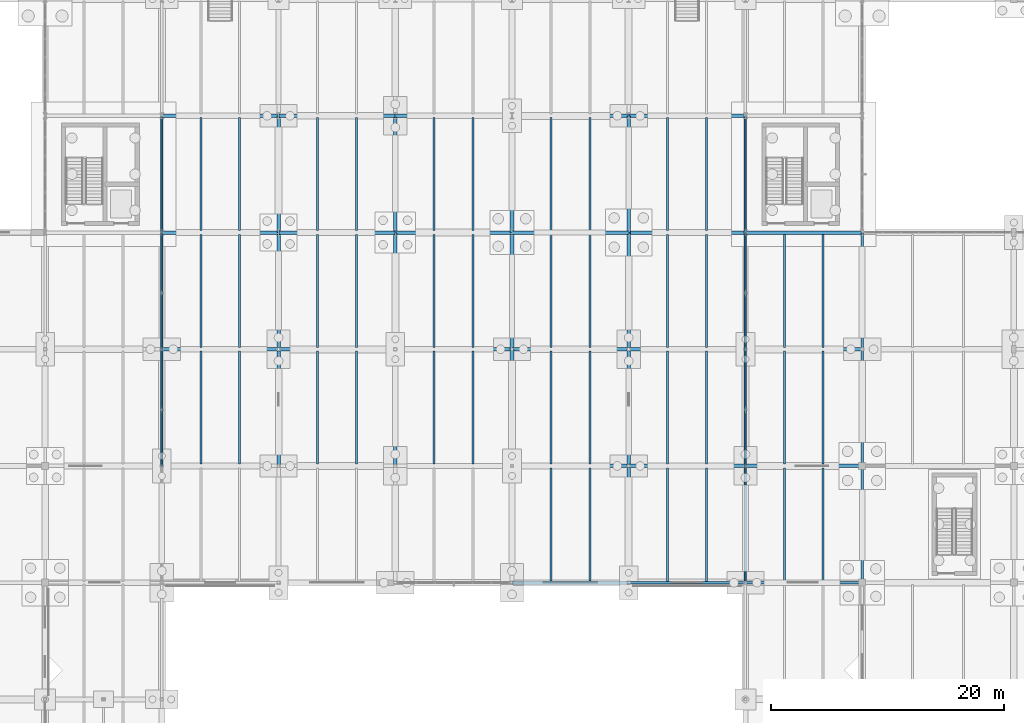
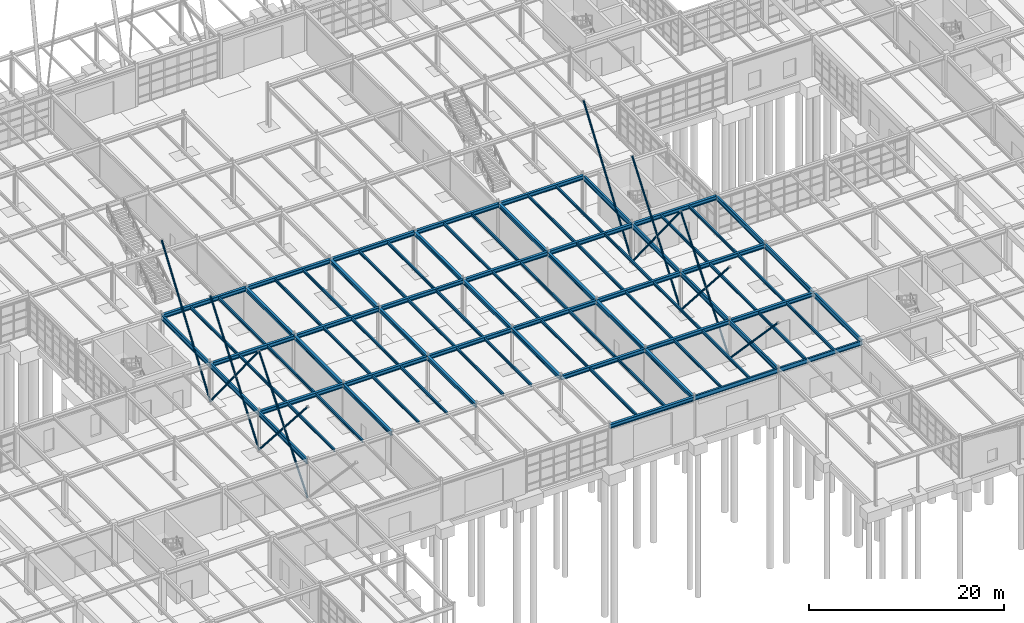
# One storey, part 45 of 145: 86 beams, 15 members.
"""IFC4 building model written with IfcOpenShell, lengths in metres."""

from ifc_helpers import new_model, si_unit, direction, frame, origin, origin_2d, place, context, subcontext, project, spatial, hollow_circle, i_section, extrude, material, material_profile, profile_set, type_object, element, save


model = new_model("IFC4")

# Units and contexts
model_context = context("Model", 3, precision=1e-05, world=origin(), true_north=direction((0.0, 1.0)))
body_context = subcontext(model_context, "Body", "Model", "MODEL_VIEW")
ifc_project = project(units=[si_unit("LENGTHUNIT", "METRE"), si_unit("AREAUNIT", "SQUARE_METRE"), si_unit("VOLUMEUNIT", "CUBIC_METRE"), si_unit("PLANEANGLEUNIT", "RADIAN"), si_unit("MASSUNIT", "GRAM", prefix="KILO"), si_unit("THERMODYNAMICTEMPERATUREUNIT", "KELVIN"), si_unit("POWERUNIT", "WATT")], contexts=[model_context])

# Site, building, storey
site_placement = place(None, origin())
site = spatial("IfcSite", under=ifc_project, at=site_placement, CompositionType="ELEMENT")
building_placement = place(site_placement, origin())
building = spatial("IfcBuilding", under=site, at=building_placement, Name="Korenveer Ferry Terminal", CompositionType="ELEMENT")
storey_placement = place(building_placement, origin())
storey = spatial("IfcBuildingStorey", under=building, at=storey_placement, Name="L00", CompositionType="ELEMENT", Elevation=0.0)

# Beams
ifc_material = material(Name="Steel S355", Category="steel")
ifc_material_profile_1 = material_profile(ifc_material, i_section(OverallWidth=0.300048828125, OverallDepth=0.5, WebThickness=0.014404296875, FlangeThickness=0.028076171875, FilletRadius=0.027099609375, at=origin_2d()), Name="HEB 500")
ifc_profile_set_1 = profile_set([ifc_material_profile_1], Name="Steel S355")
beam_type_1 = type_object("IfcBeamType", Name="STR-BM-HEB500", PredefinedType="BEAM", material=ifc_profile_set_1)
for number, where, z_axis, x_axis, name in (
    (1, (93.02001953125, 20.0, 4.830078125), (1.0, 0.0, 0.0), (0.0, 1.0, 0.0), "Primary X girder BMX-L01-X93-103-Y20"),
    (2, (93.02001953125, 30.0, 4.830078125), (1.0, 0.0, 0.0), (0.0, 1.0, 0.0), "Primary X girder BMX-L01-X93-103-Y30"),
    (3, (103.02001953125, 30.0, 4.8701171875), (1.0, 0.0, 0.0), (0.0, 1.0, 0.0), "Primary X girder BMX-L01-X103-113-Y30"),
    (4, (113.02001953125, 30.0, 4.8701171875), (1.0, 0.0, 0.0), (0.0, 1.0, 0.0), "Primary X girder BMX-L01-X113-123-Y30"),
    (5, (63.02001953125, 40.0, 4.8701171875), (1.0, 0.0, 0.0), (0.0, 1.0, 0.0), "Primary X girder BMX-L01-X63-73-Y40"),
    (6, (73.02001953125, 40.0, 4.830078125), (1.0, 0.0, 0.0), (0.0, 1.0, 0.0), "Primary X girder BMX-L01-X73-83-Y40"),
    (7, (83.02001953125, 40.0, 4.830078125), (1.0, 0.0, 0.0), (0.0, 1.0, 0.0), "Primary X girder BMX-L01-X83-93-Y40"),
    (8, (93.02001953125, 40.0, 4.830078125), (1.0, 0.0, 0.0), (0.0, 1.0, 0.0), "Primary X girder BMX-L01-X93-103-Y40"),
    (9, (103.02001953125, 40.0, 4.8701171875), (1.0, 0.0, 0.0), (0.0, 1.0, 0.0), "Primary X girder BMX-L01-X103-113-Y40"),
    (10, (113.02001953125, 40.0, 4.8701171875), (1.0, 0.0, 0.0), (0.0, 1.0, 0.0), "Primary X girder BMX-L01-X113-123-Y40"),
    (11, (63.02001953125, 50.0, 4.830078125), (1.0, 0.0, 0.0), (0.0, 1.0, 0.0), "Primary X girder BMX-L01-X63-73-Y50"),
    (12, (73.02001953125, 50.0, 4.830078125), (1.0, 0.0, 0.0), (0.0, 1.0, 0.0), "Primary X girder BMX-L01-X73-83-Y50"),
    (13, (83.02001953125, 50.0, 4.830078125), (1.0, 0.0, 0.0), (0.0, 1.0, 0.0), "Primary X girder BMX-L01-X83-93-Y50"),
    (14, (93.02001953125, 50.0, 4.830078125), (1.0, 0.0, 0.0), (0.0, 1.0, 0.0), "Primary X girder BMX-L01-X93-103-Y50"),
    (15, (103.02001953125, 50.0, 4.830078125), (1.0, 0.0, 0.0), (0.0, 1.0, 0.0), "Primary X girder BMX-L01-X103-113-Y50"),
    (16, (113.02001953125, 50.0, 4.830078125), (1.0, 0.0, 0.0), (0.0, 1.0, 0.0), "Primary X girder BMX-L01-X113-123-Y50"),
    (17, (63.02001953125, 60.0, 4.830078125), (1.0, 0.0, 0.0), (0.0, 1.0, 0.0), "Primary X girder BMX-L01-X63-73-Y60"),
    (18, (73.02001953125, 60.0, 4.830078125), (1.0, 0.0, 0.0), (0.0, 1.0, 0.0), "Primary X girder BMX-L01-X73-83-Y60"),
    (19, (83.02001953125, 60.0, 4.830078125), (1.0, 0.0, 0.0), (0.0, 1.0, 0.0), "Primary X girder BMX-L01-X83-93-Y60"),
    (20, (93.02001953125, 60.0, 4.830078125), (1.0, 0.0, 0.0), (0.0, 1.0, 0.0), "Primary X girder BMX-L01-X93-103-Y60"),
    (21, (103.02001953125, 60.0, 4.830078125), (1.0, 0.0, 0.0), (0.0, 1.0, 0.0), "Primary X girder BMX-L01-X103-113-Y60"),
    (22, (73.0, 30.02001953125, 4.830078125), (0.0, 1.0, 0.0), (-1.0, 0.0, 0.0), "Primary Y girder BMY-L01-X73-Y30-40"),
    (23, (73.0, 40.02001953125, 4.830078125), (0.0, 1.0, 0.0), (-1.0, 0.0, 0.0), "Primary Y girder BMY-L01-X73-Y40-50"),
    (24, (73.0, 50.02001953125, 4.830078125), (0.0, 1.0, 0.0), (-1.0, 0.0, 0.0), "Primary Y girder BMY-L01-X73-Y50-60"),
    (25, (83.0, 30.02001953125, 4.830078125), (0.0, 1.0, 0.0), (-1.0, 0.0, 0.0), "Primary Y girder BMY-L01-X83-Y30-40"),
    (26, (83.0, 40.02001953125, 4.830078125), (0.0, 1.0, 0.0), (-1.0, 0.0, 0.0), "Primary Y girder BMY-L01-X83-Y40-50"),
    (27, (83.0, 50.02001953125, 4.830078125), (0.0, 1.0, 0.0), (-1.0, 0.0, 0.0), "Primary Y girder BMY-L01-X83-Y50-60"),
    (28, (93.0, 30.02001953125, 4.830078125), (0.0, 1.0, 0.0), (-1.0, 0.0, 0.0), "Primary Y girder BMY-L01-X93-Y30-40"),
    (29, (93.0, 40.02001953125, 4.830078125), (0.0, 1.0, 0.0), (-1.0, 0.0, 0.0), "Primary Y girder BMY-L01-X93-Y40-50"),
    (30, (93.0, 50.02001953125, 4.830078125), (0.0, 1.0, 0.0), (-1.0, 0.0, 0.0), "Primary Y girder BMY-L01-X93-Y50-60"),
    (31, (103.0, 20.02001953125, 4.830078125), (0.0, 1.0, 0.0), (-1.0, 0.0, 0.0), "Primary Y girder BMY-L01-X103-Y20-30"),
    (32, (103.0, 30.02001953125, 4.830078125), (0.0, 1.0, 0.0), (-1.0, 0.0, 0.0), "Primary Y girder BMY-L01-X103-Y30-40"),
    (33, (103.0, 40.02001953125, 4.830078125), (0.0, 1.0, 0.0), (-1.0, 0.0, 0.0), "Primary Y girder BMY-L01-X103-Y40-50"),
    (34, (103.0, 50.02001953125, 4.830078125), (0.0, 1.0, 0.0), (-1.0, 0.0, 0.0), "Primary Y girder BMY-L01-X103-Y50-60"),
):
    element("IfcBeam", number, at=place(storey_placement, frame(where, z_axis=z_axis, x_axis=x_axis)), inside=storey, type_object=beam_type_1, Name=name, PredefinedType="BEAM", context=body_context, shape_type="SweptSolid", body=[
        extrude(i_section(OverallWidth=0.300048828125, OverallDepth=0.5, WebThickness=0.014404296875, FlangeThickness=0.028076171875, FilletRadius=0.027099609375, at=origin_2d()), origin(), (0.0, 0.0, 1.0), 9.9599609375),
    ])
ifc_material_profile_2 = material_profile(ifc_material, i_section(OverallWidth=0.2099609375, OverallDepth=0.550048828125, WebThickness=0.010986328125, FlangeThickness=0.01708984375, FilletRadius=0.02392578125, at=origin_2d()), Name="IPE 550")
ifc_profile_set_2 = profile_set([ifc_material_profile_2], Name="Steel S355")
beam_type_2 = type_object("IfcBeamType", Name="STR-BM-IPE550", PredefinedType="BEAM", material=ifc_profile_set_2)
for number, where, z_axis, x_axis, name in (
    (35, (103.02001953125, 20.0, 4.844970703125), (1.0, 0.0, 0.0), (0.0, 1.0, 0.0), "Primary X girder BMX-L01-X103-113-Y20"),
    (36, (113.02001953125, 20.0, 4.844970703125), (1.0, 0.0, 0.0), (0.0, 1.0, 0.0), "Primary X girder BMX-L01-X113-123-Y20"),
):
    element("IfcBeam", number, at=place(storey_placement, frame(where, z_axis=z_axis, x_axis=x_axis)), inside=storey, type_object=beam_type_2, Name=name, PredefinedType="BEAM", context=body_context, shape_type="SweptSolid", body=[
        extrude(i_section(OverallWidth=0.2099609375, OverallDepth=0.550048828125, WebThickness=0.010986328125, FlangeThickness=0.01708984375, FilletRadius=0.02392578125, at=origin_2d()), origin(), (0.0, 0.0, 1.0), 9.9599609375),
    ])
ifc_material_profile_3 = material_profile(ifc_material, i_section(OverallWidth=0.219970703125, OverallDepth=0.60009765625, WebThickness=0.011962890625, FlangeThickness=0.01904296875, FilletRadius=0.02392578125, at=origin_2d()), Name="IPE 600")
ifc_profile_set_3 = profile_set([ifc_material_profile_3], Name="Steel S355")
beam_type_3 = type_object("IfcBeamType", Name="STR-BM-IPE600", PredefinedType="BEAM", material=ifc_profile_set_3)
for number, where, z_axis, x_axis, name in (
    (37, (63.0, 30.02001953125, 4.820068359375), (0.0, 1.0, 0.0), (-1.0, 0.0, 0.0), "Primary Y girder BMY-L01-X63-Y30-40"),
    (38, (63.0, 40.02001953125, 4.820068359375), (0.0, 1.0, 0.0), (-1.0, 0.0, 0.0), "Primary Y girder BMY-L01-X63-Y40-50"),
    (39, (63.0, 50.02001953125, 4.780029296875), (0.0, 1.0, 0.0), (-1.0, 0.0, 0.0), "Primary Y girder BMY-L01-X63-Y50-60"),
    (40, (113.0, 20.02001953125, 4.820068359375), (0.0, 1.0, 0.0), (-1.0, 0.0, 0.0), "Primary Y girder BMY-L01-X113-Y20-30"),
    (41, (113.0, 30.02001953125, 4.820068359375), (0.0, 1.0, 0.0), (-1.0, 0.0, 0.0), "Primary Y girder BMY-L01-X113-Y30-40"),
    (42, (113.0, 40.02001953125, 4.820068359375), (0.0, 1.0, 0.0), (-1.0, 0.0, 0.0), "Primary Y girder BMY-L01-X113-Y40-50"),
    (43, (113.0, 50.02001953125, 4.780029296875), (0.0, 1.0, 0.0), (-1.0, 0.0, 0.0), "Primary Y girder BMY-L01-X113-Y50-60"),
    (44, (123.0, 20.02001953125, 4.820068359375), (0.0, 1.0, 0.0), (-1.0, 0.0, 0.0), "Primary Y girder BMY-L01-X123-Y20-30"),
    (45, (123.0, 30.02001953125, 4.820068359375), (0.0, 1.0, 0.0), (-1.0, 0.0, 0.0), "Primary Y girder BMY-L01-X123-Y30-40"),
    (46, (123.0, 40.02001953125, 4.820068359375), (0.0, 1.0, 0.0), (-1.0, 0.0, 0.0), "Primary Y girder BMY-L01-X123-Y40-50"),
):
    element("IfcBeam", number, at=place(storey_placement, frame(where, z_axis=z_axis, x_axis=x_axis)), inside=storey, type_object=beam_type_3, Name=name, PredefinedType="BEAM", context=body_context, shape_type="SweptSolid", body=[
        extrude(i_section(OverallWidth=0.219970703125, OverallDepth=0.60009765625, WebThickness=0.011962890625, FlangeThickness=0.01904296875, FilletRadius=0.02392578125, at=origin_2d()), origin(), (0.0, 0.0, 1.0), 9.9599609375),
    ])
ifc_material_profile_4 = material_profile(ifc_material, i_section(OverallWidth=0.169921875, OverallDepth=0.360107421875, WebThickness=0.008056640625, FlangeThickness=0.0126953125, FilletRadius=0.01806640625, at=origin_2d()), Name="IPE 360")
ifc_profile_set_4 = profile_set([ifc_material_profile_4], Name="Steel S355")
beam_type_4 = type_object("IfcBeamType", Name="STR-JST-IPE360", PredefinedType="JOIST", material=ifc_profile_set_4)
for number, where, z_axis, x_axis, name in (
    (47, (66.333251953125, 30.159912109375, 4.93994140625), (0.0, 1.0, 0.0), (-1.0, 0.0, 0.0), "Secondary composite joist JST-L01-X663-Y30-40"),
    (48, (69.666748046875, 30.159912109375, 4.93994140625), (0.0, 1.0, 0.0), (-1.0, 0.0, 0.0), "Secondary composite joist JST-L01-X697-Y30-40"),
    (49, (66.333251953125, 40.159912109375, 4.93994140625), (0.0, 1.0, 0.0), (-1.0, 0.0, 0.0), "Secondary composite joist JST-L01-X663-Y40-50"),
    (50, (69.666748046875, 40.159912109375, 4.93994140625), (0.0, 1.0, 0.0), (-1.0, 0.0, 0.0), "Secondary composite joist JST-L01-X697-Y40-50"),
    (51, (66.333251953125, 50.159912109375, 4.89990234375), (0.0, 1.0, 0.0), (-1.0, 0.0, 0.0), "Secondary composite joist JST-L01-X663-Y50-60"),
    (52, (69.666748046875, 50.159912109375, 4.89990234375), (0.0, 1.0, 0.0), (-1.0, 0.0, 0.0), "Secondary composite joist JST-L01-X697-Y50-60"),
    (53, (76.333251953125, 30.159912109375, 4.89990234375), (0.0, 1.0, 0.0), (-1.0, 0.0, 0.0), "Secondary composite joist JST-L01-X763-Y30-40"),
    (54, (79.666748046875, 30.159912109375, 4.89990234375), (0.0, 1.0, 0.0), (-1.0, 0.0, 0.0), "Secondary composite joist JST-L01-X797-Y30-40"),
    (55, (76.333251953125, 40.159912109375, 4.89990234375), (0.0, 1.0, 0.0), (-1.0, 0.0, 0.0), "Secondary composite joist JST-L01-X763-Y40-50"),
    (56, (79.666748046875, 40.159912109375, 4.89990234375), (0.0, 1.0, 0.0), (-1.0, 0.0, 0.0), "Secondary composite joist JST-L01-X797-Y40-50"),
    (57, (76.333251953125, 50.159912109375, 4.89990234375), (0.0, 1.0, 0.0), (-1.0, 0.0, 0.0), "Secondary composite joist JST-L01-X763-Y50-60"),
    (58, (79.666748046875, 50.159912109375, 4.89990234375), (0.0, 1.0, 0.0), (-1.0, 0.0, 0.0), "Secondary composite joist JST-L01-X797-Y50-60"),
    (59, (86.333251953125, 30.159912109375, 4.89990234375), (0.0, 1.0, 0.0), (-1.0, 0.0, 0.0), "Secondary composite joist JST-L01-X863-Y30-40"),
    (60, (89.666748046875, 30.159912109375, 4.89990234375), (0.0, 1.0, 0.0), (-1.0, 0.0, 0.0), "Secondary composite joist JST-L01-X897-Y30-40"),
    (61, (86.333251953125, 40.159912109375, 4.89990234375), (0.0, 1.0, 0.0), (-1.0, 0.0, 0.0), "Secondary composite joist JST-L01-X863-Y40-50"),
    (62, (89.666748046875, 40.159912109375, 4.89990234375), (0.0, 1.0, 0.0), (-1.0, 0.0, 0.0), "Secondary composite joist JST-L01-X897-Y40-50"),
    (63, (86.333251953125, 50.159912109375, 4.89990234375), (0.0, 1.0, 0.0), (-1.0, 0.0, 0.0), "Secondary composite joist JST-L01-X863-Y50-60"),
    (64, (89.666748046875, 50.159912109375, 4.89990234375), (0.0, 1.0, 0.0), (-1.0, 0.0, 0.0), "Secondary composite joist JST-L01-X897-Y50-60"),
    (65, (96.333251953125, 20.159912109375, 4.89990234375), (0.0, 1.0, 0.0), (-1.0, 0.0, 0.0), "Secondary composite joist JST-L01-X963-Y20-30"),
    (66, (99.666748046875, 20.159912109375, 4.89990234375), (0.0, 1.0, 0.0), (-1.0, 0.0, 0.0), "Secondary composite joist JST-L01-X997-Y20-30"),
    (67, (96.333251953125, 30.159912109375, 4.89990234375), (0.0, 1.0, 0.0), (-1.0, 0.0, 0.0), "Secondary composite joist JST-L01-X963-Y30-40"),
    (68, (99.666748046875, 30.159912109375, 4.89990234375), (0.0, 1.0, 0.0), (-1.0, 0.0, 0.0), "Secondary composite joist JST-L01-X997-Y30-40"),
    (69, (96.333251953125, 40.159912109375, 4.89990234375), (0.0, 1.0, 0.0), (-1.0, 0.0, 0.0), "Secondary composite joist JST-L01-X963-Y40-50"),
    (70, (99.666748046875, 40.159912109375, 4.89990234375), (0.0, 1.0, 0.0), (-1.0, 0.0, 0.0), "Secondary composite joist JST-L01-X997-Y40-50"),
    (71, (96.333251953125, 50.159912109375, 4.89990234375), (0.0, 1.0, 0.0), (-1.0, 0.0, 0.0), "Secondary composite joist JST-L01-X963-Y50-60"),
    (72, (99.666748046875, 50.159912109375, 4.89990234375), (0.0, 1.0, 0.0), (-1.0, 0.0, 0.0), "Secondary composite joist JST-L01-X997-Y50-60"),
):
    element("IfcBeam", number, at=place(storey_placement, frame(where, z_axis=z_axis, x_axis=x_axis)), inside=storey, type_object=beam_type_4, Name=name, PredefinedType="JOIST", context=body_context, shape_type="SweptSolid", body=[
        extrude(i_section(OverallWidth=0.169921875, OverallDepth=0.360107421875, WebThickness=0.008056640625, FlangeThickness=0.0126953125, FilletRadius=0.01806640625, at=origin_2d()), origin(), (0.0, 0.0, 1.0), 9.68017578125),
    ])
for number, where, z_axis, x_axis, name in (
    (73, (106.333251953125, 20.114990234375, 4.93994140625), (0.0, 1.0, 0.0), (-1.0, 0.0, 0.0), "Secondary composite joist JST-L01-X1063-Y20-30"),
    (74, (109.666748046875, 20.114990234375, 4.93994140625), (0.0, 1.0, 0.0), (-1.0, 0.0, 0.0), "Secondary composite joist JST-L01-X1097-Y20-30"),
):
    element("IfcBeam", number, at=place(storey_placement, frame(where, z_axis=z_axis, x_axis=x_axis)), inside=storey, type_object=beam_type_4, Name=name, PredefinedType="JOIST", context=body_context, shape_type="SweptSolid", body=[
        extrude(i_section(OverallWidth=0.169921875, OverallDepth=0.360107421875, WebThickness=0.008056640625, FlangeThickness=0.0126953125, FilletRadius=0.01806640625, at=origin_2d()), origin(), (0.0, 0.0, 1.0), 9.72509765625),
    ])
for number, where, z_axis, x_axis, name in (
    (75, (106.333251953125, 30.159912109375, 4.93994140625), (0.0, 1.0, 0.0), (-1.0, 0.0, 0.0), "Secondary composite joist JST-L01-X1063-Y30-40"),
    (76, (109.666748046875, 30.159912109375, 4.93994140625), (0.0, 1.0, 0.0), (-1.0, 0.0, 0.0), "Secondary composite joist JST-L01-X1097-Y30-40"),
    (77, (106.333251953125, 40.159912109375, 4.93994140625), (0.0, 1.0, 0.0), (-1.0, 0.0, 0.0), "Secondary composite joist JST-L01-X1063-Y40-50"),
    (78, (109.666748046875, 40.159912109375, 4.93994140625), (0.0, 1.0, 0.0), (-1.0, 0.0, 0.0), "Secondary composite joist JST-L01-X1097-Y40-50"),
    (79, (106.333251953125, 50.159912109375, 4.89990234375), (0.0, 1.0, 0.0), (-1.0, 0.0, 0.0), "Secondary composite joist JST-L01-X1063-Y50-60"),
    (80, (109.666748046875, 50.159912109375, 4.89990234375), (0.0, 1.0, 0.0), (-1.0, 0.0, 0.0), "Secondary composite joist JST-L01-X1097-Y50-60"),
):
    element("IfcBeam", number, at=place(storey_placement, frame(where, z_axis=z_axis, x_axis=x_axis)), inside=storey, type_object=beam_type_4, Name=name, PredefinedType="JOIST", context=body_context, shape_type="SweptSolid", body=[
        extrude(i_section(OverallWidth=0.169921875, OverallDepth=0.360107421875, WebThickness=0.008056640625, FlangeThickness=0.0126953125, FilletRadius=0.01806640625, at=origin_2d()), origin(), (0.0, 0.0, 1.0), 9.68017578125),
    ])
for number, where, z_axis, x_axis, name in (
    (81, (116.333251953125, 20.114990234375, 4.93994140625), (0.0, 1.0, 0.0), (-1.0, 0.0, 0.0), "Secondary composite joist JST-L01-X1163-Y20-30"),
    (82, (119.666748046875, 20.114990234375, 4.93994140625), (0.0, 1.0, 0.0), (-1.0, 0.0, 0.0), "Secondary composite joist JST-L01-X1197-Y20-30"),
):
    element("IfcBeam", number, at=place(storey_placement, frame(where, z_axis=z_axis, x_axis=x_axis)), inside=storey, type_object=beam_type_4, Name=name, PredefinedType="JOIST", context=body_context, shape_type="SweptSolid", body=[
        extrude(i_section(OverallWidth=0.169921875, OverallDepth=0.360107421875, WebThickness=0.008056640625, FlangeThickness=0.0126953125, FilletRadius=0.01806640625, at=origin_2d()), origin(), (0.0, 0.0, 1.0), 9.72509765625),
    ])
for number, where, z_axis, x_axis, name in (
    (83, (116.333251953125, 30.159912109375, 4.93994140625), (0.0, 1.0, 0.0), (-1.0, 0.0, 0.0), "Secondary composite joist JST-L01-X1163-Y30-40"),
    (84, (119.666748046875, 30.159912109375, 4.93994140625), (0.0, 1.0, 0.0), (-1.0, 0.0, 0.0), "Secondary composite joist JST-L01-X1197-Y30-40"),
    (85, (116.333251953125, 40.159912109375, 4.93994140625), (0.0, 1.0, 0.0), (-1.0, 0.0, 0.0), "Secondary composite joist JST-L01-X1163-Y40-50"),
    (86, (119.666748046875, 40.159912109375, 4.93994140625), (0.0, 1.0, 0.0), (-1.0, 0.0, 0.0), "Secondary composite joist JST-L01-X1197-Y40-50"),
):
    element("IfcBeam", number, at=place(storey_placement, frame(where, z_axis=z_axis, x_axis=x_axis)), inside=storey, type_object=beam_type_4, Name=name, PredefinedType="JOIST", context=body_context, shape_type="SweptSolid", body=[
        extrude(i_section(OverallWidth=0.169921875, OverallDepth=0.360107421875, WebThickness=0.008056640625, FlangeThickness=0.0126953125, FilletRadius=0.01806640625, at=origin_2d()), origin(), (0.0, 0.0, 1.0), 9.68017578125),
    ])

# Members
ifc_material_profile_5 = material_profile(ifc_material, hollow_circle(Radius=0.109619140625, WallThickness=0.012451171875, at=origin_2d()), Name="CHS 219.1x12.5")
ifc_profile_set_5 = profile_set([ifc_material_profile_5], Name="Steel S355")
member_type = type_object("IfcMemberType", Name="STR-STT-CHS219", PredefinedType="STRUT", material=ifc_profile_set_5)
member_1_placement = place(storey_placement, frame((63.0, 30.0, 0.25), z_axis=(0.0, 0.628850141053, 0.777526526941), x_axis=(-1.0, 0.0, 0.0)))
element("IfcMember", 87, at=member_1_placement, inside=storey, type_object=member_type, Name="V-splayed colonnade strut VSTR-FLK-63-30-1", PredefinedType="STRUT", context=body_context, shape_type="SweptSolid", body=[
    extrude(hollow_circle(Radius=0.109619140625, WallThickness=0.012451171875, at=origin_2d()), origin(), (0.0, 0.0, 1.0), 15.902099609375),
])
member_2_placement = place(storey_placement, frame((63.0, 40.0, 0.25), z_axis=(0.0, -0.65760415417, 0.753363641556), x_axis=(1.0, 0.0, 0.0)))
element("IfcMember", 88, at=member_2_placement, inside=storey, type_object=member_type, Name="V-splayed colonnade strut VSTR-FLK-63-40-0A", PredefinedType="STRUT", context=body_context, shape_type="SweptSolid", body=[
    extrude(hollow_circle(Radius=0.109619140625, WallThickness=0.012451171875, at=origin_2d()), origin(), (0.0, 0.0, 1.0), 7.893310546875),
])
member_3_placement = place(storey_placement, frame((63.0, 34.809326171875, 6.196533203125), z_axis=(0.0, -0.657596605015, 0.753370231077), x_axis=(1.0, 0.0, 0.0)))
element("IfcMember", 89, at=member_3_placement, inside=storey, type_object=member_type, Name="V-splayed colonnade strut VSTR-FLK-63-40-0B", PredefinedType="STRUT", context=body_context, shape_type="SweptSolid", body=[
    extrude(hollow_circle(Radius=0.109619140625, WallThickness=0.012451171875, at=origin_2d()), origin(), (0.0, 0.0, 1.0), 7.3134765625),
])
member_4_placement = place(storey_placement, frame((63.0, 40.0, 0.25), z_axis=(0.0, 0.601763869917, 0.798674054206), x_axis=(-1.0, 0.0, 0.0)))
element("IfcMember", 90, at=member_4_placement, inside=storey, type_object=member_type, Name="V-splayed colonnade strut VSTR-FLK-63-40-1", PredefinedType="STRUT", context=body_context, shape_type="SweptSolid", body=[
    extrude(hollow_circle(Radius=0.109619140625, WallThickness=0.012451171875, at=origin_2d()), origin(), (0.0, 0.0, 1.0), 16.617919921875),
])
member_5_placement = place(storey_placement, frame((63.0, 50.0, 0.25), z_axis=(0.0, -0.628841567093, 0.777533461335), x_axis=(1.0, 0.0, 0.0)))
element("IfcMember", 91, at=member_5_placement, inside=storey, type_object=member_type, Name="V-splayed colonnade strut VSTR-FLK-63-50-0A", PredefinedType="STRUT", context=body_context, shape_type="SweptSolid", body=[
    extrude(hollow_circle(Radius=0.109619140625, WallThickness=0.012451171875, at=origin_2d()), origin(), (0.0, 0.0, 1.0), 8.232666015625),
])
member_6_placement = place(storey_placement, frame((63.0, 44.822998046875, 6.651123046875), z_axis=(0.0, -0.62885934451, 0.777519083253), x_axis=(1.0, 0.0, 0.0)))
element("IfcMember", 92, at=member_6_placement, inside=storey, type_object=member_type, Name="V-splayed colonnade strut VSTR-FLK-63-50-0B", PredefinedType="STRUT", context=body_context, shape_type="SweptSolid", body=[
    extrude(hollow_circle(Radius=0.109619140625, WallThickness=0.012451171875, at=origin_2d()), origin(), (0.0, 0.0, 1.0), 7.66943359375),
])
member_7_placement = place(storey_placement, frame((63.0, 50.0, 0.25), z_axis=(0.0, 0.576309712079, 0.817231372234), x_axis=(-1.0, 0.0, 0.0)))
element("IfcMember", 93, at=member_7_placement, inside=storey, type_object=member_type, Name="V-splayed colonnade strut VSTR-FLK-63-50-1", PredefinedType="STRUT", context=body_context, shape_type="SweptSolid", body=[
    extrude(hollow_circle(Radius=0.109619140625, WallThickness=0.012451171875, at=origin_2d()), origin(), (0.0, 0.0, 1.0), 17.351806640625),
])
member_8_placement = place(storey_placement, frame((113.0, 30.0, 0.25), z_axis=(0.0, -0.687992463231, 0.72571783121), x_axis=(1.0, 0.0, 0.0)))
element("IfcMember", 94, at=member_8_placement, inside=storey, type_object=member_type, Name="V-splayed colonnade strut VSTR-FLK-113-30-0", PredefinedType="STRUT", context=body_context, shape_type="SweptSolid", body=[
    extrude(hollow_circle(Radius=0.109619140625, WallThickness=0.012451171875, at=origin_2d()), origin(), (0.0, 0.0, 1.0), 14.53515625),
])
member_9_placement = place(storey_placement, frame((113.0, 30.0, 0.25), z_axis=(0.0, 0.628850141053, 0.777526526941), x_axis=(-1.0, 0.0, 0.0)))
element("IfcMember", 95, at=member_9_placement, inside=storey, type_object=member_type, Name="V-splayed colonnade strut VSTR-FLK-113-30-1", PredefinedType="STRUT", context=body_context, shape_type="SweptSolid", body=[
    extrude(hollow_circle(Radius=0.109619140625, WallThickness=0.012451171875, at=origin_2d()), origin(), (0.0, 0.0, 1.0), 15.902099609375),
])
member_10_placement = place(storey_placement, frame((113.0, 40.0, 0.25), z_axis=(0.0, -0.65760415417, 0.753363641556), x_axis=(1.0, 0.0, 0.0)))
element("IfcMember", 96, at=member_10_placement, inside=storey, type_object=member_type, Name="V-splayed colonnade strut VSTR-FLK-113-40-0A", PredefinedType="STRUT", context=body_context, shape_type="SweptSolid", body=[
    extrude(hollow_circle(Radius=0.109619140625, WallThickness=0.012451171875, at=origin_2d()), origin(), (0.0, 0.0, 1.0), 7.893310546875),
])
member_11_placement = place(storey_placement, frame((113.0, 34.809326171875, 6.196533203125), z_axis=(0.0, -0.657596605015, 0.753370231077), x_axis=(1.0, 0.0, 0.0)))
element("IfcMember", 97, at=member_11_placement, inside=storey, type_object=member_type, Name="V-splayed colonnade strut VSTR-FLK-113-40-0B", PredefinedType="STRUT", context=body_context, shape_type="SweptSolid", body=[
    extrude(hollow_circle(Radius=0.109619140625, WallThickness=0.012451171875, at=origin_2d()), origin(), (0.0, 0.0, 1.0), 7.3134765625),
])
member_12_placement = place(storey_placement, frame((113.0, 40.0, 0.25), z_axis=(0.0, 0.601763869917, 0.798674054206), x_axis=(-1.0, 0.0, 0.0)))
element("IfcMember", 98, at=member_12_placement, inside=storey, type_object=member_type, Name="V-splayed colonnade strut VSTR-FLK-113-40-1", PredefinedType="STRUT", context=body_context, shape_type="SweptSolid", body=[
    extrude(hollow_circle(Radius=0.109619140625, WallThickness=0.012451171875, at=origin_2d()), origin(), (0.0, 0.0, 1.0), 16.617919921875),
])
member_13_placement = place(storey_placement, frame((113.0, 50.0, 0.25), z_axis=(0.0, -0.628841567093, 0.777533461335), x_axis=(1.0, 0.0, 0.0)))
element("IfcMember", 99, at=member_13_placement, inside=storey, type_object=member_type, Name="V-splayed colonnade strut VSTR-FLK-113-50-0A", PredefinedType="STRUT", context=body_context, shape_type="SweptSolid", body=[
    extrude(hollow_circle(Radius=0.109619140625, WallThickness=0.012451171875, at=origin_2d()), origin(), (0.0, 0.0, 1.0), 8.232666015625),
])
member_14_placement = place(storey_placement, frame((113.0, 44.822998046875, 6.651123046875), z_axis=(0.0, -0.62885934451, 0.777519083253), x_axis=(1.0, 0.0, 0.0)))
element("IfcMember", 100, at=member_14_placement, inside=storey, type_object=member_type, Name="V-splayed colonnade strut VSTR-FLK-113-50-0B", PredefinedType="STRUT", context=body_context, shape_type="SweptSolid", body=[
    extrude(hollow_circle(Radius=0.109619140625, WallThickness=0.012451171875, at=origin_2d()), origin(), (0.0, 0.0, 1.0), 7.66943359375),
])
member_15_placement = place(storey_placement, frame((113.0, 50.0, 0.25), z_axis=(0.0, 0.576309712079, 0.817231372234), x_axis=(-1.0, 0.0, 0.0)))
element("IfcMember", 101, at=member_15_placement, inside=storey, type_object=member_type, Name="V-splayed colonnade strut VSTR-FLK-113-50-1", PredefinedType="STRUT", context=body_context, shape_type="SweptSolid", body=[
    extrude(hollow_circle(Radius=0.109619140625, WallThickness=0.012451171875, at=origin_2d()), origin(), (0.0, 0.0, 1.0), 17.351806640625),
])

save(model, "model.ifc")
